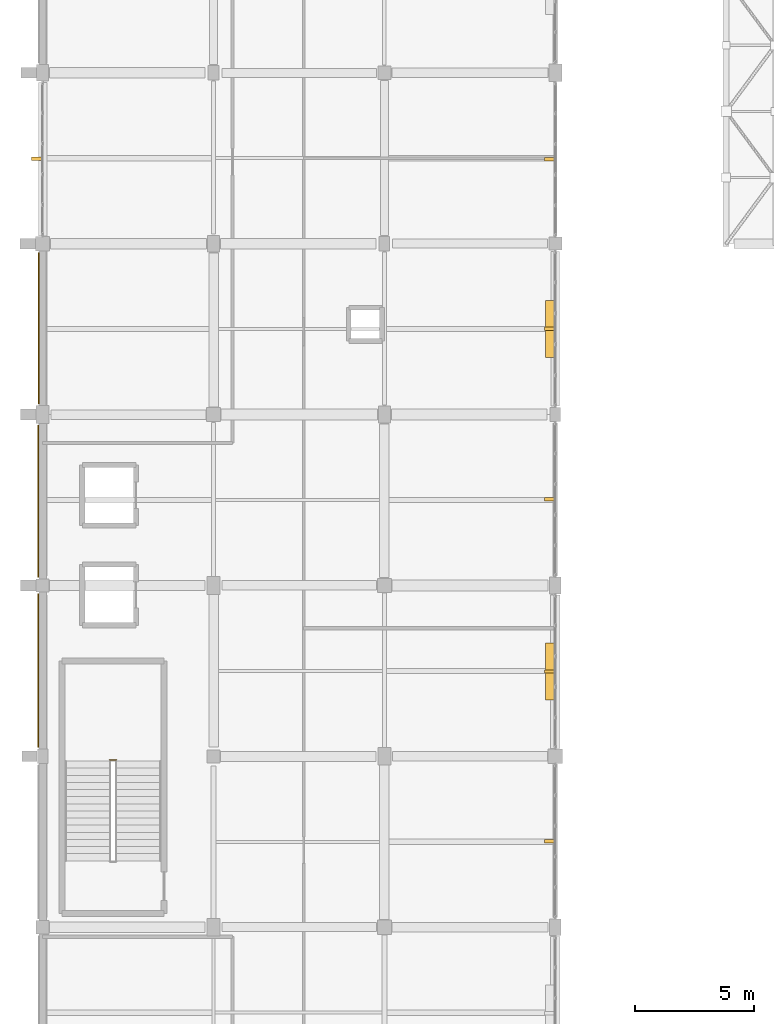
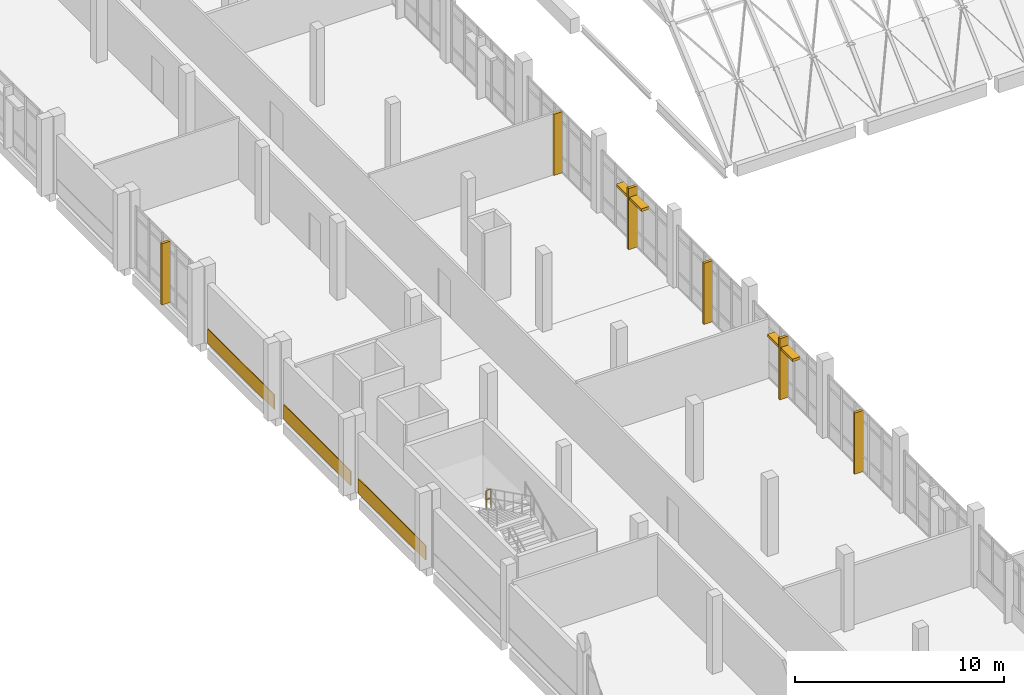
# One storey, part 82 of 87: 8 shading devices, 3 coverings, 1 railing.
"""IFC4 building model written with IfcOpenShell, lengths in metres."""

import ifcopenshell
import ifcopenshell.guid

model = None  # the IFC model being written
_history = None  # IfcOwnerHistory: only IFC2X3 demands one
_inside = {}  # id of a spatial element -> (the spatial element, [elements in it])
_under = {}  # id of a project, library or spatial element -> (it, [spatial elements below it])
_declared = {}  # id of a project -> (the project, [libraries it declares])
_typed = {}  # id of a type object -> (the type object, [elements of that type])
_made_of = {}  # id of a material, layer set ... -> (it, [elements and type objects made of it])


def new_model(schema):
    """Start an empty IFC model of exactly this schema.

    Asked for "IFC4X3", IfcOpenShell would pick the latest addendum, in which some entities
    have other attributes; the version numbers below select the first issue.
    IFC2X3 requires an IfcOwnerHistory on every rooted entity: one is made here for all.
    """
    global model, _history
    if schema == "IFC4X3":
        model = ifcopenshell.file(schema_version=(4, 3, 0, 0))
    else:
        model = ifcopenshell.file(schema=schema)
    _inside.clear()
    _under.clear()
    _declared.clear()
    _typed.clear()
    _made_of.clear()
    _history = None
    if model.schema == "IFC2X3":
        org = make("IfcOrganization", Name="unknown")
        user = make(
            "IfcPersonAndOrganization",
            ThePerson=make("IfcPerson", FamilyName="unknown"),
            TheOrganization=org,
        )
        app = make(
            "IfcApplication",
            ApplicationDeveloper=org,
            Version="unknown",
            ApplicationFullName="unknown",
            ApplicationIdentifier="unknown",
        )
        _history = make(
            "IfcOwnerHistory",
            OwningUser=user,
            OwningApplication=app,
            ChangeAction="ADDED",
            CreationDate=0,
        )
    return model


def make(cls, **values):
    """One entity of the class cls with the attributes given. An attribute that is None is left unset."""
    return model.create_entity(
        cls, **{name: value for name, value in values.items() if value is not None}
    )


def rooted(cls, **values):
    """An entity with a GlobalId (a new one), such as an element, a storey or a relation."""
    return make(cls, GlobalId=ifcopenshell.guid.new(), OwnerHistory=_history, **values)


def si_unit(unit_type, name, prefix=None):
    """IfcSIUnit, for example si_unit("LENGTHUNIT", "METRE", prefix="MILLI")."""
    return make("IfcSIUnit", UnitType=unit_type, Prefix=prefix, Name=name)


def assignment(units):
    """IfcUnitAssignment: the units of a project."""
    return None if units is None else make("IfcUnitAssignment", Units=units)


def point(xyz):
    """IfcCartesianPoint."""
    return None if xyz is None else make("IfcCartesianPoint", Coordinates=xyz)


def direction(xyz):
    """IfcDirection."""
    return None if xyz is None else make("IfcDirection", DirectionRatios=xyz)


def frame(location, z_axis=None, x_axis=None):
    """IfcAxis2Placement3D, a coordinate frame: its origin and axes. An axis left out is left unset."""
    return make(
        "IfcAxis2Placement3D",
        Location=point(location),
        Axis=direction(z_axis),
        RefDirection=direction(x_axis),
    )


def frame_2d(location, x_axis=None):
    """IfcAxis2Placement2D, a coordinate frame in the plane: its origin and x axis."""
    return make(
        "IfcAxis2Placement2D", Location=point(location), RefDirection=direction(x_axis)
    )


def origin():
    """The frame at (0, 0, 0) with its axes left unset."""
    return frame((0.0, 0.0, 0.0))


def origin_2d():
    """The frame at (0, 0) in the plane with its x axis left unset."""
    return frame_2d((0.0, 0.0))


def place(relative_to, where):
    """IfcLocalPlacement: puts the frame where relative to a parent placement (None: the world)."""
    return make(
        "IfcLocalPlacement", PlacementRelTo=relative_to, RelativePlacement=where
    )


def context(
    kind, dimensions, precision=None, world=None, true_north=None, identifier=None
):
    """IfcGeometricRepresentationContext, for example the 3D "Model" context."""
    return make(
        "IfcGeometricRepresentationContext",
        ContextIdentifier=identifier,
        ContextType=kind,
        CoordinateSpaceDimension=dimensions,
        Precision=precision,
        WorldCoordinateSystem=world,
        TrueNorth=true_north,
    )


def subcontext(parent, identifier, kind, view, scale=None):
    """IfcGeometricRepresentationSubContext, for example "Body" below "Model"."""
    return make(
        "IfcGeometricRepresentationSubContext",
        ContextIdentifier=identifier,
        ContextType=kind,
        ParentContext=parent,
        TargetScale=scale,
        TargetView=view,
    )


def project(units=None, contexts=None):
    """IfcProject with its units and contexts."""
    return rooted(
        "IfcProject",
        Name="project",
        RepresentationContexts=contexts,
        UnitsInContext=assignment(units),
    )


def spatial(cls, under=None, at=None, **own):
    """A site, building, storey or space (cls), placed at a placement, below another one or the project."""
    s = rooted(cls, ObjectPlacement=at, **own)
    if under is not None:
        _under.setdefault(under.id(), (under, []))[1].append(s)
    return s


def profile(cls, at=None, kind="AREA", **sizes):
    """A parametric profile (cls). Its sizes go by their IFC names, for example OverallWidth=200.0."""
    return make(cls, ProfileType=kind, Position=at, **sizes)


def rectangle(**sizes):
    """IfcRectangleProfileDef."""
    return profile("IfcRectangleProfileDef", **sizes)


def circle(**sizes):
    """IfcCircleProfileDef."""
    return profile("IfcCircleProfileDef", **sizes)


def extrude(swept, where, along, depth):
    """IfcExtrudedAreaSolid: the profile swept, set in the frame where, extruded along a direction by depth."""
    return make(
        "IfcExtrudedAreaSolid",
        SweptArea=swept,
        Position=where,
        ExtrudedDirection=direction(along),
        Depth=depth,
    )


def shape(context_of_items, identifier, shape_type, items):
    """IfcShapeRepresentation: the items that make up one representation, for example the "Body"."""
    return make(
        "IfcShapeRepresentation",
        ContextOfItems=context_of_items,
        RepresentationIdentifier=identifier,
        RepresentationType=shape_type,
        Items=items,
    )


def material(Name=None, Category=None):
    """IfcMaterial."""
    return make("IfcMaterial", Name=Name, Category=Category)


def layer(
    of_material, thickness, ventilated=None, Name=None, Category=None, Priority=None
):
    """IfcMaterialLayer: one layer of a wall or slab, of a material (None: an air gap)."""
    return make(
        "IfcMaterialLayer",
        Material=of_material,
        LayerThickness=thickness,
        IsVentilated=ventilated,
        Name=Name,
        Category=Category,
        Priority=Priority,
    )


def layer_set(layers, Name=None):
    """IfcMaterialLayerSet."""
    return make("IfcMaterialLayerSet", MaterialLayers=layers, LayerSetName=Name)


def made_of(thing, what):
    """Note that an element or type object is made of a material, layer set ...; save() writes the relation."""
    if what is not None:
        _made_of.setdefault(what.id(), (what, []))[1].append(thing)
    return thing


def type_object(cls, material=None, **own):
    """A type object (cls), such as IfcWallType, which elements share."""
    return made_of(rooted(cls, **own), material)


def element(
    cls,
    number,
    at=None,
    inside=None,
    cuts=None,
    type_object=None,
    material=None,
    context=None,
    identifier="Body",
    shape_type=None,
    held_by="IfcProductDefinitionShape",
    body=None,
    shapes=None,
    **own,
):
    """One element of the class cls, such as IfcWall. Its Tag is "e" and its number.

    at: its placement. inside: the storey or other place that contains it. cuts: it is an
    opening in that element (IfcRelVoidsElement). A single representation is given by context,
    identifier, shape_type and body (its items); several are given by shapes. held_by: the class
    of the entity that holds the representations. save() writes the other relations.
    """
    e = rooted(cls, Tag="e%d" % number, ObjectPlacement=at, **own)
    if body is not None:
        shapes = [shape(context, identifier, shape_type, body)]
    if shapes is not None:
        e.Representation = make(held_by, Representations=shapes)
    if inside is not None:
        _inside.setdefault(inside.id(), (inside, []))[1].append(e)
    if cuts is not None:
        rooted(
            "IfcRelVoidsElement", RelatingBuildingElement=cuts, RelatedOpeningElement=e
        )
    if type_object is not None:
        _typed.setdefault(type_object.id(), (type_object, []))[1].append(e)
    return made_of(e, material)


def aggregate(whole, parts):
    """IfcRelAggregates: a whole, such as a stair, and the parts it consists of."""
    return rooted("IfcRelAggregates", RelatingObject=whole, RelatedObjects=parts)


def save(model, path):
    """Write the relations noted so far, then the file.

    IfcRelAggregates (storeys below a building ...), IfcRelContainedInSpatialStructure (elements
    in a storey), IfcRelDefinesByType, IfcRelAssociatesMaterial and IfcRelDeclares: one each for
    every whole, place, type object, material and project.
    """
    for whole, parts in _under.values():
        aggregate(whole, parts)
    for where, things in _inside.values():
        rooted(
            "IfcRelContainedInSpatialStructure",
            RelatedElements=things,
            RelatingStructure=where,
        )
    for kind, things in _typed.values():
        rooted("IfcRelDefinesByType", RelatedObjects=things, RelatingType=kind)
    for what, things in _made_of.values():
        rooted("IfcRelAssociatesMaterial", RelatedObjects=things, RelatingMaterial=what)
    for by, libraries in _declared.values():
        rooted("IfcRelDeclares", RelatingContext=by, RelatedDefinitions=libraries)
    model.write(path)


model = new_model("IFC4")

# Units and contexts
model_context = context("Model", 3, precision=1e-05, world=origin(), true_north=direction((0.0, 1.0)))
body_context = subcontext(model_context, "Body", "Model", "MODEL_VIEW")
ifc_project = project(units=[si_unit("LENGTHUNIT", "METRE"), si_unit("AREAUNIT", "SQUARE_METRE"), si_unit("VOLUMEUNIT", "CUBIC_METRE"), si_unit("PLANEANGLEUNIT", "RADIAN"), si_unit("MASSUNIT", "GRAM", prefix="KILO")], contexts=[model_context])

# Site, building, storey
site_placement = place(None, origin())
site = spatial("IfcSite", under=ifc_project, at=site_placement, CompositionType="ELEMENT")
building_placement = place(site_placement, origin())
building = spatial("IfcBuilding", under=site, at=building_placement, Name="Kalluvel Institute of Natural Sciences", CompositionType="ELEMENT")
storey_placement = place(building_placement, frame((0.0, 0.0, 18.89990234375)))
storey = spatial("IfcBuildingStorey", under=building, at=storey_placement, Name="L04", CompositionType="ELEMENT", Elevation=18.89990234375)

# Coverings
ifc_material_1 = material(Name="Sadarahalli Grey Granite Ashlar Concrete M40", Category="masonry")
ifc_layer = layer(ifc_material_1, 0.044921875)
ifc_layer_set = layer_set([ifc_layer], Name="Sadarahalli Grey Granite Ashlar Concrete M40")
covering_type = type_object("IfcCoveringType", Name="COV-CLAD-STONE", PredefinedType="CLADDING", material=ifc_layer_set)
covering_1_placement = place(storey_placement, frame((13.820068359375, 53.612548828125, 0.025146484375), z_axis=(0.0, 0.0, 1.0), x_axis=(0.0, 1.0, 0.0)))
element("IfcCovering", 1, at=covering_1_placement, inside=storey, type_object=covering_type, Name="L04 Sadarahalli granite plinth spandrel cladding 174", PredefinedType="CLADDING", context=body_context, shape_type="SweptSolid", body=[
    extrude(rectangle(XDim=6.465087890625, YDim=0.044921875, at=origin_2d()), origin(), (0.0, 0.0, 1.0), 0.85009765625),
])
covering_2_placement = place(storey_placement, frame((13.820068359375, 60.75, 0.025146484375), z_axis=(0.0, 0.0, 1.0), x_axis=(0.0, 1.0, 0.0)))
element("IfcCovering", 2, at=covering_2_placement, inside=storey, type_object=covering_type, Name="L04 Sadarahalli granite plinth spandrel cladding 175", PredefinedType="CLADDING", context=body_context, shape_type="SweptSolid", body=[
    extrude(rectangle(XDim=6.389892578125, YDim=0.044921875, at=origin_2d()), origin(), (0.0, 0.0, 1.0), 0.85009765625),
])
covering_3_placement = place(storey_placement, frame((13.830078125, 68.03759765625, 0.025146484375), z_axis=(0.0, 0.0, 1.0), x_axis=(0.0, 1.0, 0.0)))
element("IfcCovering", 3, at=covering_3_placement, inside=storey, type_object=covering_type, Name="L04 Sadarahalli granite plinth spandrel cladding 176", PredefinedType="CLADDING", context=body_context, shape_type="SweptSolid", body=[
    extrude(rectangle(XDim=6.364990234375, YDim=0.044921875, at=origin_2d()), origin(), (0.0, 0.0, 1.0), 0.85009765625),
])

# Railing
ifc_material_2 = material(Name="Galvanized Fire-Rated Steel", Category="steel")
railing_type = type_object("IfcRailingType", Name="RL-GD-STAIR", PredefinedType="BALUSTRADE", material=ifc_material_2)
railing_placement = place(storey_placement, frame((17.10498046875, 49.85009765625, 2.25)))
element("IfcRailing", 4, at=railing_placement, inside=storey, type_object=railing_type, Name="L04 ST4 stair guard 2", PredefinedType="BALUSTRADE", context=body_context, shape_type="SweptSolid", body=[
    extrude(circle(Radius=0.02392578125, at=origin_2d()), frame((0.0, 0.0, 1.09619140625), z_axis=(-1.0, 0.0, 0.0), x_axis=(0.0, -1.0, 0.0)), (0.0, 0.0, 1.0), 0.280029296875),
    extrude(circle(Radius=0.02392578125, at=origin_2d()), frame((0.0, 0.0, 0.56005859375), z_axis=(-1.0, 0.0, 0.0), x_axis=(0.0, -1.0, 0.0)), (0.0, 0.0, 1.0), 0.280029296875),
    extrude(circle(Radius=0.02099609375, at=origin_2d()), origin(), (0.0, 0.0, 1.0), 1.072021484375),
    extrude(circle(Radius=0.02099609375, at=origin_2d()), frame((-0.280029296875, 0.0, 0.0)), (0.0, 0.0, 1.0), 1.072021484375),
])

# Shading devices
shading_device_type_1 = type_object("IfcShadingDeviceType", Name="SHD-FIN-STONE", PredefinedType="USERDEFINED", material=ifc_material_1)
for number, where, z_axis, x_axis, name in (
    (5, (13.780029296875, 75.175048828125, 0.0), (0.0, 0.0, 1.0), (0.0, 1.0, 0.0), "L04 monsoon lancet shading fin 167"),
    (6, (35.3798828125, 46.425048828125, 0.0), (0.0, 0.0, 1.0), (0.0, 1.0, 0.0), "L04 monsoon lancet shading fin 176"),
    (7, (35.3798828125, 53.574951171875, 0.0), (0.0, 0.0, 1.0), (0.0, 1.0, 0.0), "L04 monsoon lancet shading fin 177"),
    (8, (35.3798828125, 60.824951171875, 0.0), (0.0, 0.0, 1.0), (0.0, 1.0, 0.0), "L04 monsoon lancet shading fin 179"),
    (9, (35.3798828125, 68.012451171875, 0.0), (0.0, 0.0, 1.0), (0.0, 1.0, 0.0), "L04 monsoon lancet shading fin 180"),
    (10, (35.3798828125, 75.14990234375, 0.0), (0.0, 0.0, 1.0), (0.0, 1.0, 0.0), "L04 monsoon lancet shading fin 182"),
):
    element("IfcShadingDevice", number, at=place(storey_placement, frame(where, z_axis=z_axis, x_axis=x_axis)), inside=storey, type_object=shading_device_type_1, Name=name, ObjectType="MONSOON FIN", PredefinedType="USERDEFINED", context=body_context, shape_type="SweptSolid", body=[
        extrude(rectangle(XDim=0.139892578125, YDim=0.47998046875, at=origin_2d()), origin(), (0.0, 0.0, 1.0), 3.570068359375),
    ])
ifc_material_3 = material(Name="Aluminium AW-6063 T6", Category="aluminium")
shading_device_type_2 = type_object("IfcShadingDeviceType", Name="SHD-LOUV-ALU", PredefinedType="JALOUSIE", material=ifc_material_3)
for number, where, z_axis, x_axis, name in (
    (11, (35.39990234375, 53.574951171875, 2.89013671875), (0.0, 0.0, 1.0), (0.0, 1.0, 0.0), "L04 aluminium sun-shading louvre 178"),
    (12, (35.39990234375, 68.012451171875, 2.89013671875), (0.0, 0.0, 1.0), (0.0, 1.0, 0.0), "L04 aluminium sun-shading louvre 181"),
):
    element("IfcShadingDevice", number, at=place(storey_placement, frame(where, z_axis=z_axis, x_axis=x_axis)), inside=storey, type_object=shading_device_type_2, Name=name, PredefinedType="JALOUSIE", context=body_context, shape_type="SweptSolid", body=[
        extrude(rectangle(XDim=2.39990234375, YDim=0.419921875, at=origin_2d()), origin(), (0.0, 0.0, 1.0), 0.159912109375),
    ])

save(model, "model.ifc")
